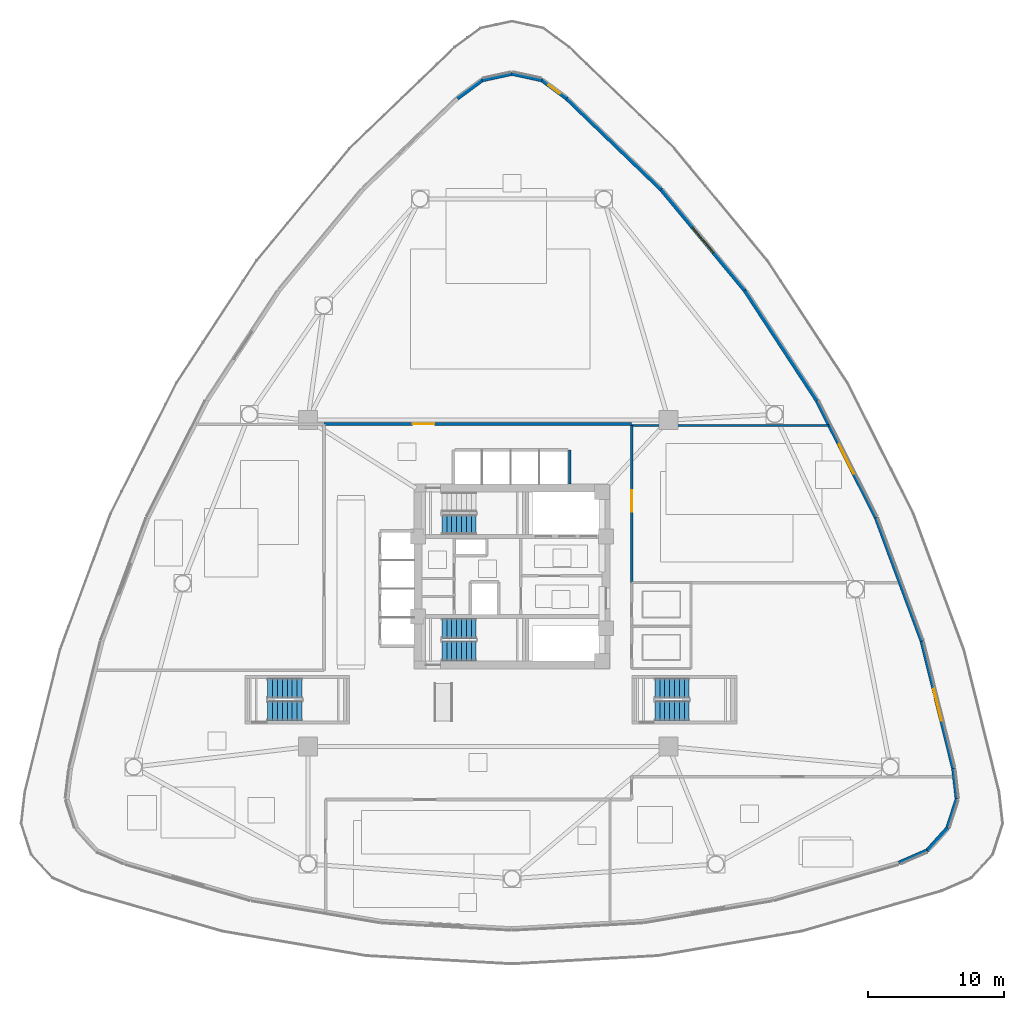
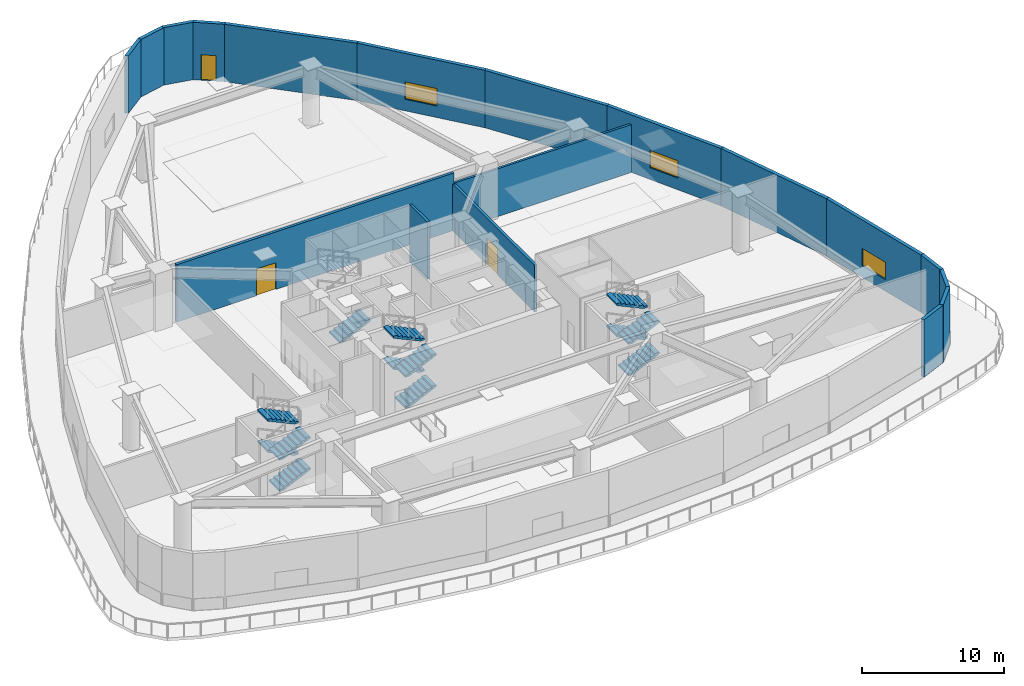
# One storey, part 5 of 13: 18 walls, 13 stair flights, 3 doors, 3 windows, 6 openings, 4 elements without a shape of their own.
"""IFC4 building model written with IfcOpenShell, lengths in metres."""

from ifc_helpers import new_model, si_unit, direction, frame, frame_2d, origin, place, context, subcontext, project, spatial, polyline, rectangle, outline, extrude, material, layer, layer_set, type_object, element, fill, aggregate, save


model = new_model("IFC4")

# Units and contexts
model_context = context("Model", 3, precision=1e-05, world=origin(), true_north=direction((0.0, 1.0)))
body_context = subcontext(model_context, "Body", "Model", "MODEL_VIEW")
ifc_project = project(units=[si_unit("LENGTHUNIT", "METRE"), si_unit("AREAUNIT", "SQUARE_METRE"), si_unit("VOLUMEUNIT", "CUBIC_METRE"), si_unit("PLANEANGLEUNIT", "RADIAN"), si_unit("MASSUNIT", "GRAM", prefix="KILO")], contexts=[model_context])

# Site, building, storey
site_placement = place(None, origin())
site = spatial("IfcSite", under=ifc_project, at=site_placement, CompositionType="ELEMENT")
building_placement = place(site_placement, origin())
building = spatial("IfcBuilding", under=site, at=building_placement, Name="Tavelor Broadcast Tower", CompositionType="ELEMENT")
storey_placement = place(building_placement, frame((0.0, 0.0, 16.800048828125)))
storey = spatial("IfcBuildingStorey", under=building, at=storey_placement, Name="L03", CompositionType="ELEMENT", Elevation=16.800048828125)

# Wall
ifc_material_1 = material(Name="Calcium Silicate Fire Board 180 mm", Category="gypsum")
ifc_layer_1 = layer(ifc_material_1, 0.179931640625)
ifc_layer_set_1 = layer_set([ifc_layer_1], Name="Calcium Silicate Fire Board 180 mm")
wall_type_1 = type_object("IfcWallType", Name="Fire-Rated Corridor Partition Wall 180 mm", PredefinedType="PARTITIONING", material=ifc_layer_set_1)
wall_1_placement = place(storey_placement, frame((58.800048828125, 56.10009765625, 0.0), z_axis=(0.0, 0.0, 1.0), x_axis=(1.0, 0.0, 0.0)))
element("IfcWall", 1, at=wall_1_placement, inside=storey, type_object=wall_type_1, Name="L03 East Room North Wall", PredefinedType="PARTITIONING", context=body_context, shape_type="SweptSolid", body=[
    extrude(rectangle(XDim=14.4853515625, YDim=0.179931640625, at=frame_2d((7.24267578125, 0.0))), origin(), (0.0, 0.0, 1.0), 4.125),
])

# Wall, opening, door
ifc_material_2 = material(Name="Precast Concrete C40/50", Category="concrete")
ifc_layer_2 = layer(ifc_material_2, 0.280029296875)
ifc_layer_set_2 = layer_set([ifc_layer_2], Name="Precast Concrete C40/50")
wall_type_2 = type_object("IfcWallType", Name="Insulated Precast Terracotta Facade Wall 280 mm", PredefinedType="STANDARD", material=ifc_layer_set_2)
wall_2_placement = place(storey_placement, frame((54.009521484375, 80.137939453125, 0.0), z_axis=(0.0, 0.0, 1.0), x_axis=(-0.804300483678, 0.594222796563, 0.0)))
wall_2 = element("IfcWall", 2, at=wall_2_placement, inside=storey, type_object=wall_type_2, Name="L03 Precast Terracotta Facade Wall 01", PredefinedType="STANDARD", context=body_context, shape_type="SweptSolid", body=[
    extrude(rectangle(XDim=2.28466796875, YDim=0.280029296875, at=frame_2d((1.142333984375, 0.0))), origin(), (0.0, 0.0, 1.0), 4.949951171875),
])
opening_1_placement = place(wall_2_placement, frame((0.617431640625, 0.0, 0.0)))
opening_1 = element("IfcOpeningElement", 3, at=opening_1_placement, cuts=wall_2, Name="Opening DR52", PredefinedType="OPENING", context=body_context, shape_type="SweptSolid", body=[
    extrude(rectangle(XDim=1.050048828125, YDim=2.199951171875, at=frame_2d((0.52490234375, 1.10009765625))), frame((0.0, 0.14990234375, 0.0), z_axis=(0.0, -1.0, 0.0), x_axis=(1.0, 0.0, 0.0)), (0.0, 0.0, 1.0), 0.300048828125),
])
ifc_material_3 = material(Name="Architectural Anodized Aluminium", Category="aluminium")
door_type_1 = type_object("IfcDoorType", Name="Terrace Garden Glazed Access Door 1050x2200", OperationType="NOTDEFINED", PredefinedType="DOOR", material=ifc_material_3)
door_1_placement = place(opening_1_placement, origin())
door_1 = element("IfcDoor", 4, at=door_1_placement, inside=storey, type_object=door_type_1, Name="L03 Terrace 1 Glazed Access Door", OperationType="SINGLE_SWING_LEFT", OverallHeight=2.199951171875, OverallWidth=1.050048828125, PredefinedType="DOOR", context=body_context, shape_type="SweptSolid", body=[
    extrude(rectangle(XDim=1.050048828125, YDim=2.199951171875, at=frame_2d((0.52490234375, 1.10009765625))), frame((0.0, 0.02490234375, 0.0), z_axis=(0.0, -1.0, 0.0), x_axis=(1.0, 0.0, 0.0)), (0.0, 0.0, 1.0), 0.050048828125),
])
fill(opening_1, door_1)

# Walls
for number, where, z_axis, x_axis, name in (
    (5, (52.198486328125, 81.4833984375, 0.0), (0.0, 0.0, 1.0), (-0.977592025173, 0.210508508896, 0.0), "L03 Precast Terracotta Facade Wall 02"),
    (6, (50.0146484375, 81.9599609375, 0.0), (0.0, 0.0, 1.0), (-0.977592025173, -0.210508508896, 0.0), "L03 Precast Terracotta Facade Wall 03"),
):
    element("IfcWall", number, at=place(storey_placement, frame(where, z_axis=z_axis, x_axis=x_axis)), inside=storey, type_object=wall_type_2, Name=name, PredefinedType="STANDARD", context=body_context, shape_type="SweptSolid", body=[
        extrude(rectangle(XDim=2.263916015625, YDim=0.280029296875, at=frame_2d((1.1318359375, 0.0))), origin(), (0.0, 0.0, 1.0), 4.949951171875),
    ])
wall_3_placement = place(storey_placement, frame((47.828125, 81.49560546875, 0.0), z_axis=(0.0, 0.0, 1.0), x_axis=(-0.804300483678, -0.594222796563, 0.0)))
element("IfcWall", 7, at=wall_3_placement, inside=storey, type_object=wall_type_2, Name="L03 Precast Terracotta Facade Wall 04", PredefinedType="STANDARD", context=body_context, shape_type="SweptSolid", body=[
    extrude(rectangle(XDim=2.28466796875, YDim=0.280029296875, at=frame_2d((1.142333984375, 0.0))), origin(), (0.0, 0.0, 1.0), 4.949951171875),
])
wall_4_placement = place(storey_placement, frame((78.425537109375, 23.95849609375, 0.0), z_axis=(0.0, 0.0, 1.0), x_axis=(0.916735097671, 0.39949563289, 0.0)))
element("IfcWall", 8, at=wall_4_placement, inside=storey, type_object=wall_type_2, Name="L03 Precast Terracotta Facade Wall 21", PredefinedType="STANDARD", context=body_context, shape_type="SweptSolid", body=[
    extrude(rectangle(XDim=2.284912109375, YDim=0.280029296875, at=frame_2d((1.142578125, 0.0))), origin(), (0.0, 0.0, 1.0), 4.949951171875),
])
for number, where, z_axis, x_axis, name in (
    (9, (80.496337890625, 24.854248046875, 0.0), (0.0, 0.0, 1.0), (0.671017801524, 0.741441238425, 0.0), "L03 Precast Terracotta Facade Wall 22"),
    (10, (82.0009765625, 26.50732421875, 0.0), (0.0, 0.0, 1.0), (0.306504867065, 0.951869091034, 0.0), "L03 Precast Terracotta Facade Wall 23"),
):
    element("IfcWall", number, at=place(storey_placement, frame(where, z_axis=z_axis, x_axis=x_axis)), inside=storey, type_object=wall_type_2, Name=name, PredefinedType="STANDARD", context=body_context, shape_type="SweptSolid", body=[
        extrude(rectangle(XDim=2.263671875, YDim=0.280029296875, at=frame_2d((1.1318359375, 0.0))), origin(), (0.0, 0.0, 1.0), 4.949951171875),
    ])
wall_5_placement = place(storey_placement, frame((82.69189453125, 28.633056640625, 0.0), z_axis=(0.0, 0.0, 1.0), x_axis=(-0.112307861703, 0.993673459543, 0.0)))
element("IfcWall", 11, at=wall_5_placement, inside=storey, type_object=wall_type_2, Name="L03 Precast Terracotta Facade Wall 24", PredefinedType="STANDARD", context=body_context, shape_type="SweptSolid", body=[
    extrude(rectangle(XDim=2.28466796875, YDim=0.280029296875, at=frame_2d((1.142333984375, 0.0))), origin(), (0.0, 0.0, 1.0), 4.949951171875),
])

# Wall, opening, window
wall_6_placement = place(storey_placement, frame((82.4404296875, 30.873779296875, 0.0), z_axis=(0.0, 0.0, 1.0), x_axis=(-0.240548229613, 0.970637187228, 0.0)))
wall_6 = element("IfcWall", 12, at=wall_6_placement, inside=storey, type_object=wall_type_2, Name="L03 Precast Terracotta Facade Wall 25", PredefinedType="STANDARD", context=body_context, shape_type="SweptSolid", body=[
    extrude(rectangle(XDim=9.685546875, YDim=0.280029296875, at=frame_2d((4.8427734375, 0.0))), origin(), (0.0, 0.0, 1.0), 4.949951171875),
])
opening_2_placement = place(wall_6_placement, frame((3.642578125, 0.0, 1.0)))
opening_2 = element("IfcOpeningElement", 13, at=opening_2_placement, cuts=wall_6, Name="Opening WN17", PredefinedType="OPENING", context=body_context, shape_type="SweptSolid", body=[
    extrude(rectangle(XDim=2.39990234375, YDim=1.5, at=frame_2d((1.199951171875, 0.75))), frame((0.0, 0.14990234375, 0.0), z_axis=(0.0, -1.0, 0.0), x_axis=(1.0, 0.0, 0.0)), (0.0, 0.0, 1.0), 0.300048828125),
])
ifc_material_4 = material(Name="Acoustic Double Glazing 28 mm", Category="glass")
window_type = type_object("IfcWindowType", Name="Broadcast Control Clerestory Window 2400x1500", PartitioningType="SINGLE_PANEL", PredefinedType="WINDOW", material=ifc_material_4)
window_1_placement = place(opening_2_placement, origin())
window_1 = element("IfcWindow", 14, at=window_1_placement, inside=storey, type_object=window_type, Name="L03 Broadcast Facade Window 25", OverallHeight=1.5, OverallWidth=2.39990234375, PartitioningType="SINGLE_PANEL", PredefinedType="WINDOW", context=body_context, shape_type="SweptSolid", body=[
    extrude(rectangle(XDim=2.39990234375, YDim=1.5, at=frame_2d((1.199951171875, 0.75))), frame((0.0, 0.030029296875, 0.0), z_axis=(0.0, -1.0, 0.0), x_axis=(1.0, 0.0, 0.0)), (0.0, 0.0, 1.0), 0.06005859375),
])
fill(opening_2, window_1)

# Wall
wall_7_placement = place(storey_placement, frame((80.119384765625, 40.246337890625, 0.0), z_axis=(0.0, 0.0, 1.0), x_axis=(-0.347784668118, 0.937574436843, 0.0)))
element("IfcWall", 15, at=wall_7_placement, inside=storey, type_object=wall_type_2, Name="L03 Precast Terracotta Facade Wall 26", PredefinedType="STANDARD", context=body_context, shape_type="SweptSolid", body=[
    extrude(rectangle(XDim=9.686767578125, YDim=0.280029296875, at=frame_2d((4.84326171875, 0.0))), origin(), (0.0, 0.0, 1.0), 4.949951171875),
])

# Wall, opening, window
wall_8_placement = place(storey_placement, frame((76.762451171875, 49.30078125, 0.0), z_axis=(0.0, 0.0, 1.0), x_axis=(-0.450627844178, 0.892711905405, 0.0)))
wall_8 = element("IfcWall", 16, at=wall_8_placement, inside=storey, type_object=wall_type_2, Name="L03 Precast Terracotta Facade Wall 27", PredefinedType="STANDARD", context=body_context, shape_type="SweptSolid", body=[
    extrude(rectangle(XDim=9.68701171875, YDim=0.280029296875, at=frame_2d((4.843505859375, 0.0))), origin(), (0.0, 0.0, 1.0), 4.949951171875),
])
opening_3_placement = place(wall_8_placement, frame((3.643310546875, 0.0, 1.0)))
opening_3 = element("IfcOpeningElement", 17, at=opening_3_placement, cuts=wall_8, Name="Opening WN17", PredefinedType="OPENING", context=body_context, shape_type="SweptSolid", body=[
    extrude(rectangle(XDim=2.39990234375, YDim=1.5, at=frame_2d((1.199951171875, 0.75))), frame((0.0, 0.14990234375, 0.0), z_axis=(0.0, -1.0, 0.0), x_axis=(1.0, 0.0, 0.0)), (0.0, 0.0, 1.0), 0.300048828125),
])
window_2_placement = place(opening_3_placement, origin())
window_2 = element("IfcWindow", 18, at=window_2_placement, inside=storey, type_object=window_type, Name="L03 Broadcast Facade Window 27", OverallHeight=1.5, OverallWidth=2.39990234375, PartitioningType="SINGLE_PANEL", PredefinedType="WINDOW", context=body_context, shape_type="SweptSolid", body=[
    extrude(rectangle(XDim=2.39990234375, YDim=1.5, at=frame_2d((1.199951171875, 0.75))), frame((0.0, 0.030029296875, 0.0), z_axis=(0.0, -1.0, 0.0), x_axis=(1.0, 0.0, 0.0)), (0.0, 0.0, 1.0), 0.06005859375),
])
fill(opening_3, window_2)

# Wall
wall_9_placement = place(storey_placement, frame((72.412353515625, 57.92236328125, 0.0), z_axis=(0.0, 0.0, 1.0), x_axis=(-0.547789091433, 0.836616466074, 0.0)))
element("IfcWall", 19, at=wall_9_placement, inside=storey, type_object=wall_type_2, Name="L03 Precast Terracotta Facade Wall 28", PredefinedType="STANDARD", context=body_context, shape_type="SweptSolid", body=[
    extrude(rectangle(XDim=9.68701171875, YDim=0.280029296875, at=frame_2d((4.843505859375, 0.0))), origin(), (0.0, 0.0, 1.0), 4.949951171875),
])

# Wall, opening, window
wall_10_placement = place(storey_placement, frame((67.123779296875, 66.00244140625, 0.0), z_axis=(0.0, 0.0, 1.0), x_axis=(-0.638064831354, 0.769982643304, 0.0)))
wall_10 = element("IfcWall", 20, at=wall_10_placement, inside=storey, type_object=wall_type_2, Name="L03 Precast Terracotta Facade Wall 29", PredefinedType="STANDARD", context=body_context, shape_type="SweptSolid", body=[
    extrude(rectangle(XDim=9.6865234375, YDim=0.280029296875, at=frame_2d((4.84326171875, 0.0))), origin(), (0.0, 0.0, 1.0), 4.949951171875),
])
opening_4_placement = place(wall_10_placement, frame((3.643310546875, 0.0, 1.0)))
opening_4 = element("IfcOpeningElement", 21, at=opening_4_placement, cuts=wall_10, Name="Opening WN17", PredefinedType="OPENING", context=body_context, shape_type="SweptSolid", body=[
    extrude(rectangle(XDim=2.39990234375, YDim=1.5, at=frame_2d((1.199951171875, 0.75))), frame((0.0, 0.14990234375, 0.0), z_axis=(0.0, -1.0, 0.0), x_axis=(1.0, 0.0, 0.0)), (0.0, 0.0, 1.0), 0.300048828125),
])
window_3_placement = place(opening_4_placement, origin())
window_3 = element("IfcWindow", 22, at=window_3_placement, inside=storey, type_object=window_type, Name="L03 Broadcast Facade Window 29", OverallHeight=1.5, OverallWidth=2.39990234375, PartitioningType="SINGLE_PANEL", PredefinedType="WINDOW", context=body_context, shape_type="SweptSolid", body=[
    extrude(rectangle(XDim=2.39990234375, YDim=1.5, at=frame_2d((1.199951171875, 0.75))), frame((0.0, 0.030029296875, 0.0), z_axis=(0.0, -1.0, 0.0), x_axis=(1.0, 0.0, 0.0)), (0.0, 0.0, 1.0), 0.06005859375),
])
fill(opening_4, window_3)

# Walls
wall_11_placement = place(storey_placement, frame((60.96337890625, 73.43896484375, 0.0), z_axis=(0.0, 0.0, 1.0), x_axis=(-0.720315548833, 0.693646531102, 0.0)))
element("IfcWall", 23, at=wall_11_placement, inside=storey, type_object=wall_type_2, Name="L03 Precast Terracotta Facade Wall 30", PredefinedType="STANDARD", context=body_context, shape_type="SweptSolid", body=[
    extrude(rectangle(XDim=9.685546875, YDim=0.280029296875, at=frame_2d((4.8427734375, 0.0))), origin(), (0.0, 0.0, 1.0), 4.949951171875),
])
ifc_material_5 = material(Name="Concrete Blockwork 200 mm", Category="masonry")
ifc_layer_3 = layer(ifc_material_5, 0.199951171875)
ifc_layer_set_3 = layer_set([ifc_layer_3], Name="Concrete Blockwork 200 mm")
wall_type_3 = type_object("IfcWallType", Name="Lift and Riser Shaft Enclosure Wall 200 mm", PredefinedType="PARTITIONING", material=ifc_layer_set_3)
wall_12_placement = place(storey_placement, frame((54.25, 51.800048828125, 0.0), z_axis=(0.0, 0.0, 1.0), x_axis=(0.0, 1.0, 0.0)))
element("IfcWall", 24, at=wall_12_placement, inside=storey, type_object=wall_type_3, Name="L03 High-Rise Lift Shaft East Wall", PredefinedType="PARTITIONING", context=body_context, shape_type="SweptSolid", body=[
    extrude(rectangle(XDim=2.5, YDim=0.199951171875, at=frame_2d((1.25, 0.0))), origin(), (0.0, 0.0, 1.0), 4.949951171875),
])

# Wall, opening, door
ifc_material_6 = material(Name="Masonry Blockwork 220 mm", Category="masonry")
ifc_layer_4 = layer(ifc_material_6, 0.219970703125)
ifc_layer_set_4 = layer_set([ifc_layer_4], Name="Masonry Blockwork 220 mm")
wall_type_4 = type_object("IfcWallType", Name="Studio Double-Leaf Acoustic Isolation Wall 220 mm", PredefinedType="PARTITIONING", material=ifc_layer_set_4)
wall_13_placement = place(storey_placement, frame((36.199951171875, 56.199951171875, 0.0), z_axis=(0.0, 0.0, 1.0), x_axis=(1.0, 0.0, 0.0)))
wall_13 = element("IfcWall", 25, at=wall_13_placement, inside=storey, type_object=wall_type_4, Name="L03 North Hall Concourse Wall", PredefinedType="PARTITIONING", context=body_context, shape_type="SweptSolid", body=[
    extrude(rectangle(XDim=22.60009765625, YDim=0.219970703125, at=frame_2d((11.300048828125, 0.0))), origin(), (0.0, 0.0, 1.0), 4.949951171875),
])
opening_5_placement = place(wall_13_placement, frame((6.5, 0.0, 0.0)))
opening_5 = element("IfcOpeningElement", 26, at=opening_5_placement, cuts=wall_13, Name="Opening DR27", PredefinedType="OPENING", context=body_context, shape_type="SweptSolid", body=[
    extrude(rectangle(XDim=1.60009765625, YDim=2.300048828125, at=frame_2d((0.800048828125, 1.14990234375))), frame((0.0, 0.1201171875, 0.0), z_axis=(0.0, -1.0, 0.0), x_axis=(1.0, 0.0, 0.0)), (0.0, 0.0, 1.0), 0.239990234375),
])
ifc_material_7 = material(Name="Steel Acoustic Composite", Category="steel")
door_type_2 = type_object("IfcDoorType", Name="Studio Acoustic Sound-Lock Double Door 1600x2300", OperationType="NOTDEFINED", PredefinedType="DOOR", material=ifc_material_7)
door_2_placement = place(opening_5_placement, origin())
door_2 = element("IfcDoor", 27, at=door_2_placement, inside=storey, type_object=door_type_2, Name="L03 Colour Grading Screening Theatre Door", OperationType="SINGLE_SWING_RIGHT", OverallHeight=2.300048828125, OverallWidth=1.60009765625, PredefinedType="DOOR", context=body_context, shape_type="SweptSolid", body=[
    extrude(rectangle(XDim=1.60009765625, YDim=2.300048828125, at=frame_2d((0.800048828125, 1.14990234375))), frame((0.0, 0.02490234375, 0.0), z_axis=(0.0, -1.0, 0.0), x_axis=(1.0, 0.0, 0.0)), (0.0, 0.0, 1.0), 0.050048828125),
])
fill(opening_5, door_2)

wall_14_placement = place(storey_placement, frame((58.800048828125, 44.550048828125, 0.0), z_axis=(0.0, 0.0, 1.0), x_axis=(0.0, 1.0, 0.0)))
wall_14 = element("IfcWall", 28, at=wall_14_placement, inside=storey, type_object=wall_type_4, Name="L03 Broadcast Staff Dining Room Concourse Wall", PredefinedType="PARTITIONING", context=body_context, shape_type="SweptSolid", body=[
    extrude(rectangle(XDim=11.550048828125, YDim=0.219970703125, at=frame_2d((5.77490234375, 0.0))), origin(), (0.0, 0.0, 1.0), 4.02490234375),
])
opening_6_placement = place(wall_14_placement, frame((5.199951171875, 0.0, 0.0)))
opening_6 = element("IfcOpeningElement", 29, at=opening_6_placement, cuts=wall_14, Name="Opening DR27", PredefinedType="OPENING", context=body_context, shape_type="SweptSolid", body=[
    extrude(rectangle(XDim=1.60009765625, YDim=2.300048828125, at=frame_2d((0.800048828125, 1.14990234375))), frame((0.0, 0.1201171875, 0.0), z_axis=(0.0, -1.0, 0.0), x_axis=(1.0, 0.0, 0.0)), (0.0, 0.0, 1.0), 0.239990234375),
])
door_3_placement = place(opening_6_placement, origin())
door_3 = element("IfcDoor", 30, at=door_3_placement, inside=storey, type_object=door_type_2, Name="L03 Broadcast Staff Dining Room Acoustic Door", OperationType="DOUBLE_DOOR_SINGLE_SWING", OverallHeight=2.300048828125, OverallWidth=1.60009765625, PredefinedType="DOOR", context=body_context, shape_type="SweptSolid", body=[
    extrude(rectangle(XDim=1.60009765625, YDim=2.300048828125, at=frame_2d((0.800048828125, 1.14990234375))), frame((0.0, 0.02490234375, 0.0), z_axis=(0.0, -1.0, 0.0), x_axis=(1.0, 0.0, 0.0)), (0.0, 0.0, 1.0), 0.050048828125),
])
fill(opening_6, door_3)

# Stair, stair flight
ifc_material_8 = material(Name="Concrete C40/50", Category="concrete")
stair_type = type_object("IfcStairType", Name="Reinforced Concrete Protected Dogleg Stair 1450 mm", PredefinedType="HALF_TURN_STAIR", material=ifc_material_8)
stair_1_placement = place(storey_placement, origin())
stair_1 = element("IfcStair", 31, at=stair_1_placement, inside=storey, type_object=stair_type, Name="L03 Protected Core Exit Stair ST1", PredefinedType="HALF_TURN_STAIR")
stair_flight_type = type_object("IfcStairFlightType", Name="Reinforced Concrete Stair Flight 1450 mm", PredefinedType="STRAIGHT", material=ifc_material_8)
stair_flight_1_placement = place(storey_placement, frame((44.85009765625, 48.824951171875, 0.0), z_axis=(0.0, 0.0, 1.0), x_axis=(1.0, 0.0, 0.0)))
stair_flight_1 = element("IfcStairFlight", 32, at=stair_flight_1_placement, type_object=stair_flight_type, Name="ST1 flight 1", NumberOfRisers=8, NumberOfTreads=7, PredefinedType="STRAIGHT", RiserHeight=0.16875, TreadLength=0.36, context=body_context, shape_type="SweptSolid", body=[
    extrude(outline(polyline([(0.0, 0.0), (0.0, 0.168701171875), (0.360107421875, 0.168701171875), (0.360107421875, 0.33740234375), (0.719970703125, 0.33740234375), (0.719970703125, 0.50634765625), (1.080078125, 0.50634765625), (1.080078125, 0.675048828125), (1.43994140625, 0.675048828125), (1.43994140625, 0.84375), (1.800048828125, 0.84375), (1.800048828125, 1.012451171875), (2.159912109375, 1.012451171875), (2.159912109375, 1.18115234375), (2.52001953125, 1.18115234375), (2.52001953125, 1.35009765625), (2.52001953125, 1.015625), (0.353271484375, 0.0), (0.0, 0.0)])), frame((0.0, 0.72509765625, 0.0), z_axis=(0.0, -1.0, 0.0), x_axis=(1.0, 0.0, 0.0)), (0.0, 0.0, 1.0), 1.449951171875),
])
aggregate(stair_1, [stair_flight_1])

# Stair, stair flights
stair_2_placement = place(storey_placement, origin())
stair_2 = element("IfcStair", 33, at=stair_2_placement, inside=storey, type_object=stair_type, Name="L03 Protected Core Exit Stair ST2", PredefinedType="HALF_TURN_STAIR")
stair_flight_2_placement = place(storey_placement, frame((44.85009765625, 39.52490234375, 0.0), z_axis=(0.0, 0.0, 1.0), x_axis=(1.0, 0.0, 0.0)))
stair_flight_2 = element("IfcStairFlight", 34, at=stair_flight_2_placement, type_object=stair_flight_type, Name="ST2 flight 1", NumberOfRisers=8, NumberOfTreads=7, PredefinedType="STRAIGHT", RiserHeight=0.16875, TreadLength=0.36, context=body_context, shape_type="SweptSolid", body=[
    extrude(outline(polyline([(0.0, 0.0), (0.0, 0.168701171875), (0.360107421875, 0.168701171875), (0.360107421875, 0.33740234375), (0.719970703125, 0.33740234375), (0.719970703125, 0.50634765625), (1.080078125, 0.50634765625), (1.080078125, 0.675048828125), (1.43994140625, 0.675048828125), (1.43994140625, 0.84375), (1.800048828125, 0.84375), (1.800048828125, 1.012451171875), (2.159912109375, 1.012451171875), (2.159912109375, 1.18115234375), (2.52001953125, 1.18115234375), (2.52001953125, 1.35009765625), (2.52001953125, 1.015625), (0.353271484375, 0.0), (0.0, 0.0)])), frame((0.0, 0.72509765625, 0.0), z_axis=(0.0, -1.0, 0.0), x_axis=(1.0, 0.0, 0.0)), (0.0, 0.0, 1.0), 1.449951171875),
])
stair_flight_3_placement = place(storey_placement, frame((47.3701171875, 41.175048828125, 1.349853515625), z_axis=(0.0, 0.0, 1.0), x_axis=(-1.0, 0.0, 0.0)))
stair_flight_3 = element("IfcStairFlight", 35, at=stair_flight_3_placement, type_object=stair_flight_type, Name="ST2 flight 2", NumberOfRisers=8, NumberOfTreads=7, PredefinedType="STRAIGHT", RiserHeight=0.16875, TreadLength=0.36, context=body_context, shape_type="SweptSolid", body=[
    extrude(outline(polyline([(0.0, 0.0), (0.0, 0.168701171875), (0.360107421875, 0.168701171875), (0.360107421875, 0.33740234375), (0.719970703125, 0.33740234375), (0.719970703125, 0.50634765625), (1.080078125, 0.50634765625), (1.080078125, 0.675048828125), (1.43994140625, 0.675048828125), (1.43994140625, 0.84375), (1.800048828125, 0.84375), (1.800048828125, 1.012451171875), (2.159912109375, 1.012451171875), (2.159912109375, 1.18115234375), (2.52001953125, 1.18115234375), (2.52001953125, 1.35009765625), (2.52001953125, 1.015625), (0.353271484375, 0.0), (0.0, 0.0)])), frame((0.0, 0.72509765625, 0.0), z_axis=(0.0, -1.0, 0.0), x_axis=(1.0, 0.0, 0.0)), (0.0, 0.0, 1.0), 1.449951171875),
])
stair_flight_4_placement = place(storey_placement, frame((44.85009765625, 39.52490234375, 2.699951171875), z_axis=(0.0, 0.0, 1.0), x_axis=(1.0, 0.0, 0.0)))
stair_flight_4 = element("IfcStairFlight", 36, at=stair_flight_4_placement, type_object=stair_flight_type, Name="ST2 flight 3", NumberOfRisers=8, NumberOfTreads=7, PredefinedType="STRAIGHT", RiserHeight=0.16875, TreadLength=0.36, context=body_context, shape_type="SweptSolid", body=[
    extrude(outline(polyline([(0.0, 0.0), (0.0, 0.168701171875), (0.360107421875, 0.168701171875), (0.360107421875, 0.33740234375), (0.719970703125, 0.33740234375), (0.719970703125, 0.50634765625), (1.080078125, 0.50634765625), (1.080078125, 0.675048828125), (1.43994140625, 0.675048828125), (1.43994140625, 0.84375), (1.800048828125, 0.84375), (1.800048828125, 1.012451171875), (2.159912109375, 1.012451171875), (2.159912109375, 1.18115234375), (2.52001953125, 1.18115234375), (2.52001953125, 1.35009765625), (2.52001953125, 1.015625), (0.353271484375, 0.0), (0.0, 0.0)])), frame((0.0, 0.72509765625, 0.0), z_axis=(0.0, -1.0, 0.0), x_axis=(1.0, 0.0, 0.0)), (0.0, 0.0, 1.0), 1.449951171875),
])
stair_flight_5_placement = place(storey_placement, frame((47.3701171875, 41.175048828125, 4.050048828125), z_axis=(0.0, 0.0, 1.0), x_axis=(-1.0, 0.0, 0.0)))
stair_flight_5 = element("IfcStairFlight", 37, at=stair_flight_5_placement, type_object=stair_flight_type, Name="ST2 flight 4", NumberOfRisers=8, NumberOfTreads=7, PredefinedType="STRAIGHT", RiserHeight=0.16875, TreadLength=0.36, context=body_context, shape_type="SweptSolid", body=[
    extrude(outline(polyline([(0.0, 0.0), (0.0, 0.168701171875), (0.360107421875, 0.168701171875), (0.360107421875, 0.33740234375), (0.719970703125, 0.33740234375), (0.719970703125, 0.50634765625), (1.080078125, 0.50634765625), (1.080078125, 0.675048828125), (1.43994140625, 0.675048828125), (1.43994140625, 0.84375), (1.800048828125, 0.84375), (1.800048828125, 1.012451171875), (2.159912109375, 1.012451171875), (2.159912109375, 1.18115234375), (2.52001953125, 1.18115234375), (2.52001953125, 1.35009765625), (2.52001953125, 1.015625), (0.353271484375, 0.0), (0.0, 0.0)])), frame((0.0, 0.72509765625, 0.0), z_axis=(0.0, -1.0, 0.0), x_axis=(1.0, 0.0, 0.0)), (0.0, 0.0, 1.0), 1.449951171875),
])
aggregate(stair_2, [stair_flight_2, stair_flight_3, stair_flight_4, stair_flight_5])

stair_3_placement = place(storey_placement, origin())
stair_3 = element("IfcStair", 38, at=stair_3_placement, inside=storey, type_object=stair_type, Name="L03 Podium West Exit Stair ST3", PredefinedType="HALF_TURN_STAIR")
stair_flight_6_placement = place(storey_placement, frame((32.050048828125, 35.125, 0.0), z_axis=(0.0, 0.0, 1.0), x_axis=(1.0, 0.0, 0.0)))
stair_flight_6 = element("IfcStairFlight", 39, at=stair_flight_6_placement, type_object=stair_flight_type, Name="ST3 flight 1", NumberOfRisers=8, NumberOfTreads=7, PredefinedType="STRAIGHT", RiserHeight=0.16875, TreadLength=0.36, context=body_context, shape_type="SweptSolid", body=[
    extrude(outline(polyline([(0.0, 0.0), (0.0, 0.168701171875), (0.360107421875, 0.168701171875), (0.360107421875, 0.33740234375), (0.719970703125, 0.33740234375), (0.719970703125, 0.50634765625), (1.080078125, 0.50634765625), (1.080078125, 0.675048828125), (1.43994140625, 0.675048828125), (1.43994140625, 0.84375), (1.800048828125, 0.84375), (1.800048828125, 1.012451171875), (2.159912109375, 1.012451171875), (2.159912109375, 1.18115234375), (2.52001953125, 1.18115234375), (2.52001953125, 1.35009765625), (2.52001953125, 1.015625), (0.353271484375, 0.0), (0.0, 0.0)])), frame((0.0, 0.72509765625, 0.0), z_axis=(0.0, -1.0, 0.0), x_axis=(1.0, 0.0, 0.0)), (0.0, 0.0, 1.0), 1.449951171875),
])
stair_flight_7_placement = place(storey_placement, frame((34.570068359375, 36.77490234375, 1.349853515625), z_axis=(0.0, 0.0, 1.0), x_axis=(-1.0, 0.0, 0.0)))
stair_flight_7 = element("IfcStairFlight", 40, at=stair_flight_7_placement, type_object=stair_flight_type, Name="ST3 flight 2", NumberOfRisers=8, NumberOfTreads=7, PredefinedType="STRAIGHT", RiserHeight=0.16875, TreadLength=0.36, context=body_context, shape_type="SweptSolid", body=[
    extrude(outline(polyline([(0.0, 0.0), (0.0, 0.168701171875), (0.360107421875, 0.168701171875), (0.360107421875, 0.33740234375), (0.719970703125, 0.33740234375), (0.719970703125, 0.50634765625), (1.080078125, 0.50634765625), (1.080078125, 0.675048828125), (1.43994140625, 0.675048828125), (1.43994140625, 0.84375), (1.800048828125, 0.84375), (1.800048828125, 1.012451171875), (2.159912109375, 1.012451171875), (2.159912109375, 1.18115234375), (2.52001953125, 1.18115234375), (2.52001953125, 1.35009765625), (2.52001953125, 1.015625), (0.353271484375, 0.0), (0.0, 0.0)])), frame((0.0, 0.72509765625, 0.0), z_axis=(0.0, -1.0, 0.0), x_axis=(1.0, 0.0, 0.0)), (0.0, 0.0, 1.0), 1.449951171875),
])
stair_flight_8_placement = place(storey_placement, frame((32.050048828125, 35.125, 2.699951171875), z_axis=(0.0, 0.0, 1.0), x_axis=(1.0, 0.0, 0.0)))
stair_flight_8 = element("IfcStairFlight", 41, at=stair_flight_8_placement, type_object=stair_flight_type, Name="ST3 flight 3", NumberOfRisers=8, NumberOfTreads=7, PredefinedType="STRAIGHT", RiserHeight=0.16875, TreadLength=0.36, context=body_context, shape_type="SweptSolid", body=[
    extrude(outline(polyline([(0.0, 0.0), (0.0, 0.168701171875), (0.360107421875, 0.168701171875), (0.360107421875, 0.33740234375), (0.719970703125, 0.33740234375), (0.719970703125, 0.50634765625), (1.080078125, 0.50634765625), (1.080078125, 0.675048828125), (1.43994140625, 0.675048828125), (1.43994140625, 0.84375), (1.800048828125, 0.84375), (1.800048828125, 1.012451171875), (2.159912109375, 1.012451171875), (2.159912109375, 1.18115234375), (2.52001953125, 1.18115234375), (2.52001953125, 1.35009765625), (2.52001953125, 1.015625), (0.353271484375, 0.0), (0.0, 0.0)])), frame((0.0, 0.72509765625, 0.0), z_axis=(0.0, -1.0, 0.0), x_axis=(1.0, 0.0, 0.0)), (0.0, 0.0, 1.0), 1.449951171875),
])
stair_flight_9_placement = place(storey_placement, frame((34.570068359375, 36.77490234375, 4.050048828125), z_axis=(0.0, 0.0, 1.0), x_axis=(-1.0, 0.0, 0.0)))
stair_flight_9 = element("IfcStairFlight", 42, at=stair_flight_9_placement, type_object=stair_flight_type, Name="ST3 flight 4", NumberOfRisers=8, NumberOfTreads=7, PredefinedType="STRAIGHT", RiserHeight=0.16875, TreadLength=0.36, context=body_context, shape_type="SweptSolid", body=[
    extrude(outline(polyline([(0.0, 0.0), (0.0, 0.168701171875), (0.360107421875, 0.168701171875), (0.360107421875, 0.33740234375), (0.719970703125, 0.33740234375), (0.719970703125, 0.50634765625), (1.080078125, 0.50634765625), (1.080078125, 0.675048828125), (1.43994140625, 0.675048828125), (1.43994140625, 0.84375), (1.800048828125, 0.84375), (1.800048828125, 1.012451171875), (2.159912109375, 1.012451171875), (2.159912109375, 1.18115234375), (2.52001953125, 1.18115234375), (2.52001953125, 1.35009765625), (2.52001953125, 1.015625), (0.353271484375, 0.0), (0.0, 0.0)])), frame((0.0, 0.72509765625, 0.0), z_axis=(0.0, -1.0, 0.0), x_axis=(1.0, 0.0, 0.0)), (0.0, 0.0, 1.0), 1.449951171875),
])
aggregate(stair_3, [stair_flight_6, stair_flight_7, stair_flight_8, stair_flight_9])

stair_4_placement = place(storey_placement, origin())
stair_4 = element("IfcStair", 43, at=stair_4_placement, inside=storey, type_object=stair_type, Name="L03 Podium East Exit Stair ST4", PredefinedType="HALF_TURN_STAIR")
stair_flight_10_placement = place(storey_placement, frame((60.5, 35.125, 0.0), z_axis=(0.0, 0.0, 1.0), x_axis=(1.0, 0.0, 0.0)))
stair_flight_10 = element("IfcStairFlight", 44, at=stair_flight_10_placement, type_object=stair_flight_type, Name="ST4 flight 1", NumberOfRisers=8, NumberOfTreads=7, PredefinedType="STRAIGHT", RiserHeight=0.16875, TreadLength=0.36, context=body_context, shape_type="SweptSolid", body=[
    extrude(outline(polyline([(0.0, 0.0), (0.0, 0.168701171875), (0.360107421875, 0.168701171875), (0.360107421875, 0.33740234375), (0.719970703125, 0.33740234375), (0.719970703125, 0.50634765625), (1.080078125, 0.50634765625), (1.080078125, 0.675048828125), (1.43994140625, 0.675048828125), (1.43994140625, 0.84375), (1.800048828125, 0.84375), (1.800048828125, 1.012451171875), (2.159912109375, 1.012451171875), (2.159912109375, 1.18115234375), (2.52001953125, 1.18115234375), (2.52001953125, 1.35009765625), (2.52001953125, 1.015625), (0.353271484375, 0.0), (0.0, 0.0)])), frame((0.0, 0.72509765625, 0.0), z_axis=(0.0, -1.0, 0.0), x_axis=(1.0, 0.0, 0.0)), (0.0, 0.0, 1.0), 1.449951171875),
])
stair_flight_11_placement = place(storey_placement, frame((63.02001953125, 36.77490234375, 1.349853515625), z_axis=(0.0, 0.0, 1.0), x_axis=(-1.0, 0.0, 0.0)))
stair_flight_11 = element("IfcStairFlight", 45, at=stair_flight_11_placement, type_object=stair_flight_type, Name="ST4 flight 2", NumberOfRisers=8, NumberOfTreads=7, PredefinedType="STRAIGHT", RiserHeight=0.16875, TreadLength=0.36, context=body_context, shape_type="SweptSolid", body=[
    extrude(outline(polyline([(0.0, 0.0), (0.0, 0.168701171875), (0.360107421875, 0.168701171875), (0.360107421875, 0.33740234375), (0.719970703125, 0.33740234375), (0.719970703125, 0.50634765625), (1.080078125, 0.50634765625), (1.080078125, 0.675048828125), (1.43994140625, 0.675048828125), (1.43994140625, 0.84375), (1.800048828125, 0.84375), (1.800048828125, 1.012451171875), (2.159912109375, 1.012451171875), (2.159912109375, 1.18115234375), (2.52001953125, 1.18115234375), (2.52001953125, 1.35009765625), (2.52001953125, 1.015625), (0.353271484375, 0.0), (0.0, 0.0)])), frame((0.0, 0.72509765625, 0.0), z_axis=(0.0, -1.0, 0.0), x_axis=(1.0, 0.0, 0.0)), (0.0, 0.0, 1.0), 1.449951171875),
])
stair_flight_12_placement = place(storey_placement, frame((60.5, 35.125, 2.699951171875), z_axis=(0.0, 0.0, 1.0), x_axis=(1.0, 0.0, 0.0)))
stair_flight_12 = element("IfcStairFlight", 46, at=stair_flight_12_placement, type_object=stair_flight_type, Name="ST4 flight 3", NumberOfRisers=8, NumberOfTreads=7, PredefinedType="STRAIGHT", RiserHeight=0.16875, TreadLength=0.36, context=body_context, shape_type="SweptSolid", body=[
    extrude(outline(polyline([(0.0, 0.0), (0.0, 0.168701171875), (0.360107421875, 0.168701171875), (0.360107421875, 0.33740234375), (0.719970703125, 0.33740234375), (0.719970703125, 0.50634765625), (1.080078125, 0.50634765625), (1.080078125, 0.675048828125), (1.43994140625, 0.675048828125), (1.43994140625, 0.84375), (1.800048828125, 0.84375), (1.800048828125, 1.012451171875), (2.159912109375, 1.012451171875), (2.159912109375, 1.18115234375), (2.52001953125, 1.18115234375), (2.52001953125, 1.35009765625), (2.52001953125, 1.015625), (0.353271484375, 0.0), (0.0, 0.0)])), frame((0.0, 0.72509765625, 0.0), z_axis=(0.0, -1.0, 0.0), x_axis=(1.0, 0.0, 0.0)), (0.0, 0.0, 1.0), 1.449951171875),
])
stair_flight_13_placement = place(storey_placement, frame((63.02001953125, 36.77490234375, 4.050048828125), z_axis=(0.0, 0.0, 1.0), x_axis=(-1.0, 0.0, 0.0)))
stair_flight_13 = element("IfcStairFlight", 47, at=stair_flight_13_placement, type_object=stair_flight_type, Name="ST4 flight 4", NumberOfRisers=8, NumberOfTreads=7, PredefinedType="STRAIGHT", RiserHeight=0.16875, TreadLength=0.36, context=body_context, shape_type="SweptSolid", body=[
    extrude(outline(polyline([(0.0, 0.0), (0.0, 0.168701171875), (0.360107421875, 0.168701171875), (0.360107421875, 0.33740234375), (0.719970703125, 0.33740234375), (0.719970703125, 0.50634765625), (1.080078125, 0.50634765625), (1.080078125, 0.675048828125), (1.43994140625, 0.675048828125), (1.43994140625, 0.84375), (1.800048828125, 0.84375), (1.800048828125, 1.012451171875), (2.159912109375, 1.012451171875), (2.159912109375, 1.18115234375), (2.52001953125, 1.18115234375), (2.52001953125, 1.35009765625), (2.52001953125, 1.015625), (0.353271484375, 0.0), (0.0, 0.0)])), frame((0.0, 0.72509765625, 0.0), z_axis=(0.0, -1.0, 0.0), x_axis=(1.0, 0.0, 0.0)), (0.0, 0.0, 1.0), 1.449951171875),
])
aggregate(stair_4, [stair_flight_10, stair_flight_11, stair_flight_12, stair_flight_13])

save(model, "model.ifc")
